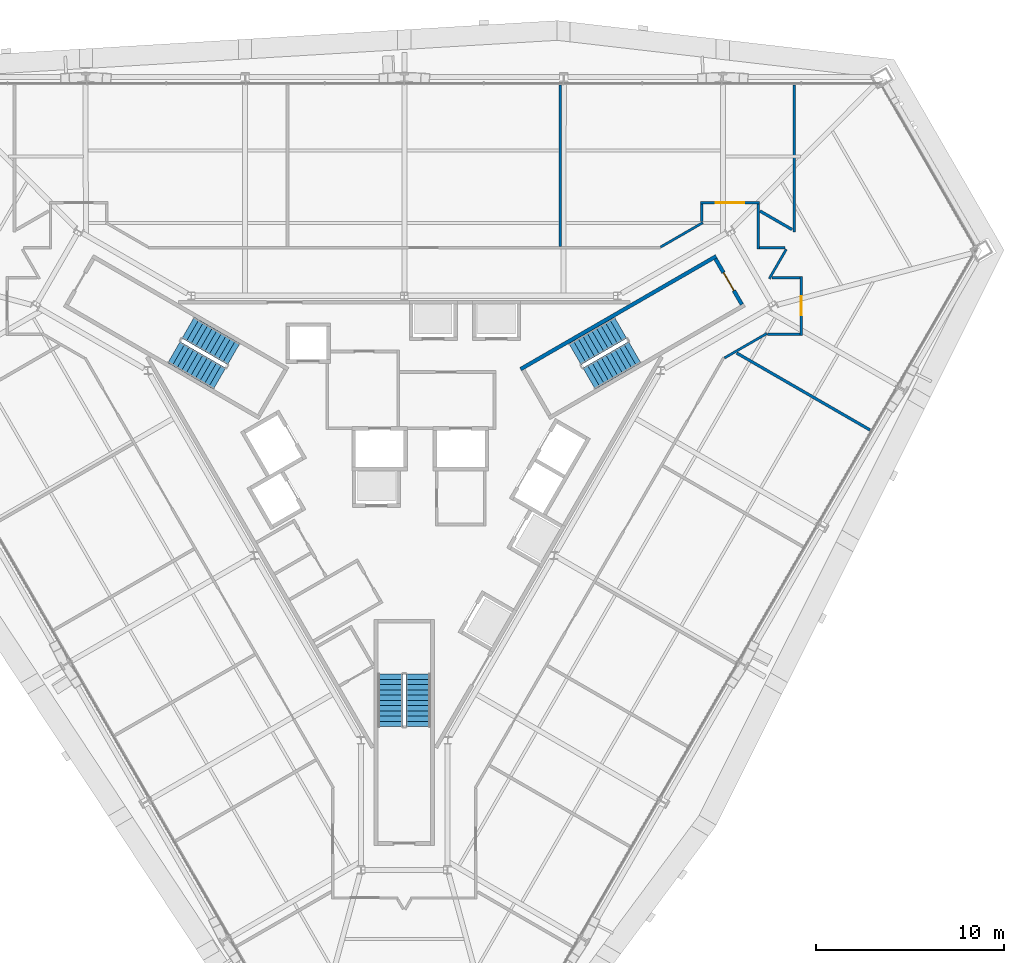
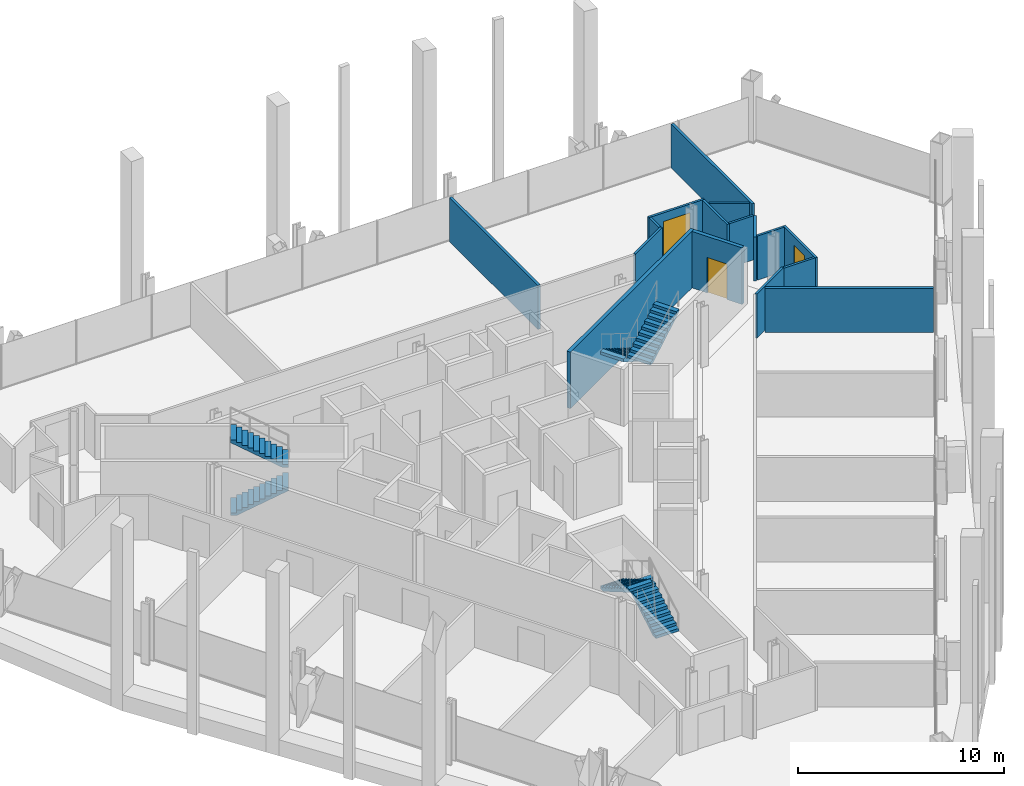
# One storey, part 13 of 16: 16 walls, 6 stair flights, 3 doors, 3 openings, 3 elements without a shape of their own.
"""IFC4 building model written with IfcOpenShell, lengths in metres."""

from ifc_helpers import new_model, si_unit, direction, frame, frame_2d, origin, place, context, subcontext, project, spatial, polyline, rectangle, outline, extrude, material, layer, layer_set, type_object, element, fill, aggregate, save


model = new_model("IFC4")

# Units and contexts
model_context = context("Model", 3, precision=1e-05, world=origin(), true_north=direction((0.0, 1.0)))
body_context = subcontext(model_context, "Body", "Model", "MODEL_VIEW")
ifc_project = project(units=[si_unit("LENGTHUNIT", "METRE"), si_unit("AREAUNIT", "SQUARE_METRE"), si_unit("VOLUMEUNIT", "CUBIC_METRE"), si_unit("PLANEANGLEUNIT", "RADIAN"), si_unit("MASSUNIT", "GRAM", prefix="KILO")], contexts=[model_context])

# Site, building, storey
site_placement = place(None, origin())
site = spatial("IfcSite", under=ifc_project, at=site_placement, CompositionType="ELEMENT")
building_placement = place(site_placement, origin())
building = spatial("IfcBuilding", under=site, at=building_placement, Name="Verrane Prism Tower", CompositionType="ELEMENT")
storey_placement = place(building_placement, frame((0.0, 0.0, 36.800048828125)))
storey = spatial("IfcBuildingStorey", under=building, at=storey_placement, Name="L06", CompositionType="ELEMENT", Elevation=36.800048828125)

# Wall, opening, door
ifc_material_1 = material(Name="Concrete C40/50", Category="concrete")
ifc_layer_1 = layer(ifc_material_1, 0.199951171875)
ifc_layer_set_1 = layer_set([ifc_layer_1], Name="CW-200 stair core wall concrete C40/50 3 h")
wall_type_1 = type_object("IfcWallType", Name="CW-200 stair core wall concrete C40/50 3 h", PredefinedType="PARTITIONING", material=ifc_layer_set_1)
wall_1_placement = place(storey_placement, frame((17.933837890625, 8.737548828125, 0.0), z_axis=(0.0, 0.0, 1.0), x_axis=(-0.49998411664, 0.866034573852, 0.0)))
wall_1 = element("IfcWall", 1, at=wall_1_placement, inside=storey, type_object=wall_type_1, Name="Stair 1 enclosure wall", PredefinedType="PARTITIONING", context=body_context, shape_type="SweptSolid", body=[
    extrude(rectangle(XDim=2.7998046875, YDim=0.199951171875, at=frame_2d((1.39990234375, 0.0))), origin(), (0.0, 0.0, 1.0), 3.349853515625),
])
opening_1_placement = place(wall_1_placement, frame((0.849853515625, 0.0, 0.0)))
opening_1 = element("IfcOpeningElement", 2, at=opening_1_placement, cuts=wall_1, Name="Opening D06500", PredefinedType="OPENING", context=body_context, shape_type="SweptSolid", body=[
    extrude(rectangle(XDim=1.10009765625, YDim=2.10009765625, at=frame_2d((0.550048828125, 1.050048828125))), frame((0.0, 0.10986328125, 0.0), z_axis=(0.0, -1.0, 0.0), x_axis=(1.0, 0.0, 0.0)), (0.0, 0.0, 1.0), 0.219970703125),
])
ifc_material_2 = material(Name="Timber veneered door leaf", Category="wood")
door_type_1 = type_object("IfcDoorType", Name="DR-1100x2100 FD90 single leaf stair", OperationType="NOTDEFINED", PredefinedType="DOOR", material=ifc_material_2)
door_1_placement = place(opening_1_placement, origin())
door_1 = element("IfcDoor", 3, at=door_1_placement, inside=storey, type_object=door_type_1, Name="Stair 1 door", OperationType="SINGLE_SWING_LEFT", OverallHeight=2.10009765625, OverallWidth=1.10009765625, PredefinedType="DOOR", context=body_context, shape_type="SweptSolid", body=[
    extrude(rectangle(XDim=1.10009765625, YDim=2.10009765625, at=frame_2d((0.550048828125, 1.050048828125))), frame((0.0, 0.02490234375, 0.0), z_axis=(0.0, -1.0, 0.0), x_axis=(1.0, 0.0, 0.0)), (0.0, 0.0, 1.0), 0.050048828125),
])
fill(opening_1, door_1)

# Walls
wall_2_placement = place(storey_placement, frame((6.17822265625, 5.299072265625, 0.0), z_axis=(0.0, 0.0, 1.0), x_axis=(0.866026010844, 0.49999894854, 0.0)))
element("IfcWall", 4, at=wall_2_placement, inside=storey, type_object=wall_type_1, Name="Stair 1 enclosure wall", PredefinedType="PARTITIONING", context=body_context, shape_type="SweptSolid", body=[
    extrude(rectangle(XDim=12.0, YDim=0.199951171875, at=frame_2d((6.0, 0.0))), origin(), (0.0, 0.0, 1.0), 3.349853515625),
])
ifc_material_3 = material(Name="Gypsum board partition", Category="other")
ifc_layer_2 = layer(ifc_material_3, 0.125)
ifc_layer_set_2 = layer_set([ifc_layer_2], Name="PW-125 corridor wall 1 h")
wall_type_2 = type_object("IfcWallType", Name="PW-125 corridor wall 1 h", PredefinedType="PARTITIONING", material=ifc_layer_set_2)
wall_3_placement = place(storey_placement, frame((13.609619140625, 11.783447265625, 0.0), z_axis=(0.0, 0.0, 1.0), x_axis=(0.865988195383, 0.500064441305, 0.0)))
element("IfcWall", 5, at=wall_3_placement, inside=storey, type_object=wall_type_2, Name="Corridor wall 434", PredefinedType="PARTITIONING", context=body_context, shape_type="SweptSolid", body=[
    extrude(rectangle(XDim=2.595458984375, YDim=0.125, at=frame_2d((1.2978515625, 0.0))), origin(), (0.0, 0.0, 1.0), 2.613037109375),
])
wall_4_placement = place(storey_placement, frame((15.802978515625, 13.135009765625, 0.0), z_axis=(0.0, 0.0, 1.0), x_axis=(0.0, 1.0, 0.0)))
element("IfcWall", 6, at=wall_4_placement, inside=storey, type_object=wall_type_2, Name="Corridor wall 436", PredefinedType="PARTITIONING", context=body_context, shape_type="SweptSolid", body=[
    extrude(rectangle(XDim=0.93701171875, YDim=0.125, at=frame_2d((0.468505859375, 0.0))), origin(), (0.0, 0.0, 1.0), 2.613037109375),
])

# Wall, opening, door
wall_5_placement = place(storey_placement, frame((15.740478515625, 14.136962890625, 0.0), z_axis=(0.0, 0.0, 1.0), x_axis=(1.0, 0.0, 0.0)))
wall_5 = element("IfcWall", 7, at=wall_5_placement, inside=storey, type_object=wall_type_2, Name="Corridor wall 437", PredefinedType="PARTITIONING", context=body_context, shape_type="SweptSolid", body=[
    extrude(rectangle(XDim=3.119140625, YDim=0.125, at=frame_2d((1.5595703125, 0.0))), origin(), (0.0, 0.0, 1.0), 2.613037109375),
])
opening_2_placement = place(wall_5_placement, frame((0.8125, 0.0, 0.0)))
opening_2 = element("IfcOpeningElement", 8, at=opening_2_placement, cuts=wall_5, Name="Opening D06301", PredefinedType="OPENING", context=body_context, shape_type="SweptSolid", body=[
    extrude(rectangle(XDim=1.5, YDim=2.10009765625, at=frame_2d((0.75, 1.050048828125))), frame((0.0, 0.072509765625, 0.0), z_axis=(0.0, -1.0, 0.0), x_axis=(1.0, 0.0, 0.0)), (0.0, 0.0, 1.0), 0.14501953125),
])
ifc_material_4 = material(Name="Timber veneered door leaf", Category="wood")
door_type_2 = type_object("IfcDoorType", Name="DR-1500x2100 FD20 double leaf public", OperationType="NOTDEFINED", PredefinedType="DOOR", material=ifc_material_4)
door_2_placement = place(opening_2_placement, origin())
door_2 = element("IfcDoor", 9, at=door_2_placement, inside=storey, type_object=door_type_2, Name="Hotel Reception door", OperationType="DOUBLE_DOOR_SINGLE_SWING", OverallHeight=2.10009765625, OverallWidth=1.5, PredefinedType="DOOR", context=body_context, shape_type="SweptSolid", body=[
    extrude(rectangle(XDim=1.5, YDim=2.10009765625, at=frame_2d((0.75, 1.050048828125))), frame((0.0, 0.02490234375, 0.0), z_axis=(0.0, -1.0, 0.0), x_axis=(1.0, 0.0, 0.0)), (0.0, 0.0, 1.0), 0.050048828125),
])
fill(opening_2, door_2)

# Walls
wall_6_placement = place(storey_placement, frame((17.009521484375, 5.89453125, 0.0), z_axis=(0.0, 0.0, 1.0), x_axis=(0.865944638795, 0.50013986298, 0.0)))
element("IfcWall", 10, at=wall_6_placement, inside=storey, type_object=wall_type_2, Name="Corridor wall 438", PredefinedType="PARTITIONING", context=body_context, shape_type="SweptSolid", body=[
    extrude(rectangle(XDim=2.598876953125, YDim=0.125, at=frame_2d((1.29931640625, 0.0))), origin(), (0.0, 0.0, 1.0), 2.613037109375),
])
wall_7_placement = place(storey_placement, frame((18.797119140625, 11.678466796875, 0.0), z_axis=(0.0, 0.0, 1.0), x_axis=(0.0, 1.0, 0.0)))
element("IfcWall", 11, at=wall_7_placement, inside=storey, type_object=wall_type_2, Name="Corridor wall 440", PredefinedType="PARTITIONING", context=body_context, shape_type="SweptSolid", body=[
    extrude(rectangle(XDim=2.3935546875, YDim=0.125, at=frame_2d((1.19677734375, 0.0))), origin(), (0.0, 0.0, 1.0), 2.613037109375),
])
wall_8_placement = place(storey_placement, frame((18.862060546875, 11.740966796875, 0.0), z_axis=(0.0, 0.0, 1.0), x_axis=(1.0, 0.0, 0.0)))
element("IfcWall", 12, at=wall_8_placement, inside=storey, type_object=wall_type_2, Name="Corridor wall 441", PredefinedType="PARTITIONING", context=body_context, shape_type="SweptSolid", body=[
    extrude(rectangle(XDim=1.367919921875, YDim=0.125, at=frame_2d((0.68408203125, 0.0))), origin(), (0.0, 0.0, 1.0), 2.613037109375),
])
wall_9_placement = place(storey_placement, frame((19.291015625, 7.1630859375, 0.0), z_axis=(0.0, 0.0, 1.0), x_axis=(1.0, 0.0, 0.0)))
element("IfcWall", 13, at=wall_9_placement, inside=storey, type_object=wall_type_2, Name="Corridor wall 443", PredefinedType="PARTITIONING", context=body_context, shape_type="SweptSolid", body=[
    extrude(rectangle(XDim=1.740966796875, YDim=0.125, at=frame_2d((0.87060546875, 0.0))), origin(), (0.0, 0.0, 1.0), 2.613037109375),
])
wall_10_placement = place(storey_placement, frame((19.3896484375, 10.102783203125, 0.0), z_axis=(0.0, 0.0, 1.0), x_axis=(0.500327160669, 0.865836435071, 0.0)))
element("IfcWall", 14, at=wall_10_placement, inside=storey, type_object=wall_type_2, Name="Corridor wall 444", PredefinedType="PARTITIONING", context=body_context, shape_type="SweptSolid", body=[
    extrude(rectangle(XDim=1.805419921875, YDim=0.125, at=frame_2d((0.90283203125, 0.0))), origin(), (0.0, 0.0, 1.0), 2.613037109375),
])
wall_11_placement = place(storey_placement, frame((19.52587890625, 10.156982421875, 0.0), z_axis=(0.0, 0.0, 1.0), x_axis=(1.0, 0.0, 0.0)))
element("IfcWall", 15, at=wall_11_placement, inside=storey, type_object=wall_type_2, Name="Corridor wall 445", PredefinedType="PARTITIONING", context=body_context, shape_type="SweptSolid", body=[
    extrude(rectangle(XDim=1.506103515625, YDim=0.125, at=frame_2d((0.7529296875, 0.0))), origin(), (0.0, 0.0, 1.0), 2.613037109375),
])

# Wall, opening, door
wall_12_placement = place(storey_placement, frame((21.096923828125, 10.219482421875, 0.0), z_axis=(0.0, 0.0, 1.0), x_axis=(0.0, -1.0, 0.0)))
wall_12 = element("IfcWall", 16, at=wall_12_placement, inside=storey, type_object=wall_type_2, Name="Corridor wall 447", PredefinedType="PARTITIONING", context=body_context, shape_type="SweptSolid", body=[
    extrude(rectangle(XDim=3.118896484375, YDim=0.125, at=frame_2d((1.5595703125, 0.0))), origin(), (0.0, 0.0, 1.0), 2.613037109375),
])
opening_3_placement = place(wall_12_placement, frame((1.056396484375, 0.0, 0.0)))
opening_3 = element("IfcOpeningElement", 17, at=opening_3_placement, cuts=wall_12, Name="Opening D06316", PredefinedType="OPENING", context=body_context, shape_type="SweptSolid", body=[
    extrude(rectangle(XDim=1.0, YDim=2.10009765625, at=frame_2d((0.5, 1.050048828125))), frame((0.0, 0.072509765625, 0.0), z_axis=(0.0, -1.0, 0.0), x_axis=(1.0, 0.0, 0.0)), (0.0, 0.0, 1.0), 0.14501953125),
])
ifc_material_5 = material(Name="Timber veneered door leaf", Category="wood")
door_type_3 = type_object("IfcDoorType", Name="DR-1000x2100 FD20 single leaf unit", OperationType="NOTDEFINED", PredefinedType="DOOR", material=ifc_material_5)
door_3_placement = place(opening_3_placement, origin())
door_3 = element("IfcDoor", 18, at=door_3_placement, inside=storey, type_object=door_type_3, Name="Hotel Office door", OperationType="SINGLE_SWING_LEFT", OverallHeight=2.10009765625, OverallWidth=1.0, PredefinedType="DOOR", context=body_context, shape_type="SweptSolid", body=[
    extrude(rectangle(XDim=1.0, YDim=2.10009765625, at=frame_2d((0.5, 1.050048828125))), frame((0.0, 0.02490234375, 0.0), z_axis=(0.0, -1.0, 0.0), x_axis=(1.0, 0.0, 0.0)), (0.0, 0.0, 1.0), 0.050048828125),
])
fill(opening_3, door_3)

# Walls
ifc_material_6 = material(Name="Gypsum board partition", Category="other")
ifc_layer_3 = layer(ifc_material_6, 0.14990234375)
ifc_layer_set_3 = layer_set([ifc_layer_3], Name="PW-150 demising wall 1 h")
wall_type_3 = type_object("IfcWallType", Name="PW-150 demising wall 1 h", PredefinedType="PARTITIONING", material=ifc_layer_set_3)
wall_13_placement = place(storey_placement, frame((8.285888671875, 11.803466796875, 0.0), z_axis=(0.0, 0.0, 1.0), x_axis=(0.0, 1.0, 0.0)))
element("IfcWall", 19, at=wall_13_placement, inside=storey, type_object=wall_type_3, Name="Demising wall 432", PredefinedType="PARTITIONING", context=body_context, shape_type="SweptSolid", body=[
    extrude(rectangle(XDim=8.591552734375, YDim=0.14990234375, at=frame_2d((4.2958984375, 0.0))), origin(), (0.0, 0.0, 1.0), 2.613037109375),
])
wall_14_placement = place(storey_placement, frame((17.662109375, 6.1552734375, 0.0), z_axis=(0.0, 0.0, 1.0), x_axis=(0.866038908564, -0.499976608306, 0.0)))
element("IfcWall", 20, at=wall_14_placement, inside=storey, type_object=wall_type_3, Name="Demising wall 439", PredefinedType="PARTITIONING", context=body_context, shape_type="SweptSolid", body=[
    extrude(rectangle(XDim=8.1767578125, YDim=0.14990234375, at=frame_2d((4.08837890625, 0.0))), origin(), (0.0, 0.0, 1.0), 2.613037109375),
])
wall_15_placement = place(storey_placement, frame((18.89697265625, 13.701171875, 0.0), z_axis=(0.0, 0.0, 1.0), x_axis=(0.866121584746, -0.499833372672, 0.0)))
element("IfcWall", 21, at=wall_15_placement, inside=storey, type_object=wall_type_3, Name="Demising wall 442", PredefinedType="PARTITIONING", context=body_context, shape_type="SweptSolid", body=[
    extrude(rectangle(XDim=1.968994140625, YDim=0.14990234375, at=frame_2d((0.984375, 0.0))), origin(), (0.0, 0.0, 1.0), 2.613037109375),
])
wall_16_placement = place(storey_placement, frame((20.715087890625, 12.576904296875, 0.0), z_axis=(0.0, 0.0, 1.0), x_axis=(0.0, 1.0, 0.0)))
element("IfcWall", 22, at=wall_16_placement, inside=storey, type_object=wall_type_3, Name="Demising wall 446", PredefinedType="PARTITIONING", context=body_context, shape_type="SweptSolid", body=[
    extrude(rectangle(XDim=7.818115234375, YDim=0.14990234375, at=frame_2d((3.9091796875, 0.0))), origin(), (0.0, 0.0, 1.0), 2.613037109375),
])

# Stair, stair flights
ifc_material_7 = material(Name="Concrete C40/50", Category="concrete")
stair_type = type_object("IfcStairType", Name="Exit stair 1300 dog-leg precast concrete C40/50", PredefinedType="HALF_TURN_STAIR", material=ifc_material_7)
stair_1_placement = place(storey_placement, origin())
stair_1 = element("IfcStair", 23, at=stair_1_placement, inside=storey, type_object=stair_type, Name="Stair 1 L06", PredefinedType="HALF_TURN_STAIR")
ifc_material_8 = material(Name="Concrete C40/50", Category="concrete")
stair_flight_type = type_object("IfcStairFlightType", Name="Stair flight 1300 precast concrete C40/50", PredefinedType="STRAIGHT", material=ifc_material_8)
stair_flight_1_placement = place(storey_placement, frame((11.489501953125, 7.49951171875, 0.0), z_axis=(0.0, 0.0, 1.0), x_axis=(-0.866025403784, -0.5, 0.0)))
stair_flight_1 = element("IfcStairFlight", 24, at=stair_flight_1_placement, type_object=stair_flight_type, Name="Stair 1 flight 1", NumberOfRisers=11, NumberOfTreads=10, PredefinedType="STRAIGHT", RiserHeight=0.163636364, TreadLength=0.28, context=body_context, shape_type="SweptSolid", body=[
    extrude(outline(polyline([(0.0, 0.0), (0.0, 0.16357421875), (0.280029296875, 0.16357421875), (0.280029296875, 0.327392578125), (0.56005859375, 0.327392578125), (0.56005859375, 0.490966796875), (0.840087890625, 0.490966796875), (0.840087890625, 0.654541015625), (1.1201171875, 0.654541015625), (1.1201171875, 0.818115234375), (1.39990234375, 0.818115234375), (1.39990234375, 0.98193359375), (1.679931640625, 0.98193359375), (1.679931640625, 1.1455078125), (1.9599609375, 1.1455078125), (1.9599609375, 1.30908203125), (2.239990234375, 1.30908203125), (2.239990234375, 1.47265625), (2.52001953125, 1.47265625), (2.52001953125, 1.636474609375), (2.800048828125, 1.636474609375), (2.800048828125, 1.800048828125), (2.800048828125, 1.462646484375), (0.297119140625, 0.0), (0.0, 0.0)])), frame((0.0, 0.64990234375, 0.0), z_axis=(0.0, -1.0, 0.0), x_axis=(1.0, 0.0, 0.0)), (0.0, 0.0, 1.0), 1.300048828125),
])
stair_flight_2_placement = place(storey_placement, frame((9.814697265625, 4.800537109375, 1.800048828125), z_axis=(0.0, 0.0, 1.0), x_axis=(0.866025403784, 0.5, 0.0)))
stair_flight_2 = element("IfcStairFlight", 25, at=stair_flight_2_placement, type_object=stair_flight_type, Name="Stair 1 flight 2", NumberOfRisers=11, NumberOfTreads=10, PredefinedType="STRAIGHT", RiserHeight=0.163636364, TreadLength=0.28, context=body_context, shape_type="SweptSolid", body=[
    extrude(outline(polyline([(0.0, 0.0), (0.0, 0.16357421875), (0.280029296875, 0.16357421875), (0.280029296875, 0.327392578125), (0.56005859375, 0.327392578125), (0.56005859375, 0.490966796875), (0.840087890625, 0.490966796875), (0.840087890625, 0.654541015625), (1.1201171875, 0.654541015625), (1.1201171875, 0.818115234375), (1.39990234375, 0.818115234375), (1.39990234375, 0.98193359375), (1.679931640625, 0.98193359375), (1.679931640625, 1.1455078125), (1.9599609375, 1.1455078125), (1.9599609375, 1.30908203125), (2.239990234375, 1.30908203125), (2.239990234375, 1.47265625), (2.52001953125, 1.47265625), (2.52001953125, 1.636474609375), (2.800048828125, 1.636474609375), (2.800048828125, 1.800048828125), (2.800048828125, 1.462646484375), (0.297119140625, 0.0), (0.0, 0.0)])), frame((0.0, 0.64990234375, 0.0), z_axis=(0.0, -1.0, 0.0), x_axis=(1.0, 0.0, 0.0)), (0.0, 0.0, 1.0), 1.300048828125),
])
aggregate(stair_1, [stair_flight_1, stair_flight_2])

stair_2_placement = place(storey_placement, origin())
stair_2 = element("IfcStair", 26, at=stair_2_placement, inside=storey, type_object=stair_type, Name="Stair 2 L06", PredefinedType="HALF_TURN_STAIR")
stair_flight_3_placement = place(storey_placement, frame((-12.239501953125, 6.200439453125, 0.0), z_axis=(0.0, 0.0, 1.0), x_axis=(0.866025403784, -0.5, 0.0)))
stair_flight_3 = element("IfcStairFlight", 27, at=stair_flight_3_placement, type_object=stair_flight_type, Name="Stair 2 flight 1", NumberOfRisers=11, NumberOfTreads=10, PredefinedType="STRAIGHT", RiserHeight=0.163636364, TreadLength=0.28, context=body_context, shape_type="SweptSolid", body=[
    extrude(outline(polyline([(0.0, 0.0), (0.0, 0.16357421875), (0.280029296875, 0.16357421875), (0.280029296875, 0.327392578125), (0.56005859375, 0.327392578125), (0.56005859375, 0.490966796875), (0.840087890625, 0.490966796875), (0.840087890625, 0.654541015625), (1.1201171875, 0.654541015625), (1.1201171875, 0.818115234375), (1.39990234375, 0.818115234375), (1.39990234375, 0.98193359375), (1.679931640625, 0.98193359375), (1.679931640625, 1.1455078125), (1.9599609375, 1.1455078125), (1.9599609375, 1.30908203125), (2.239990234375, 1.30908203125), (2.239990234375, 1.47265625), (2.52001953125, 1.47265625), (2.52001953125, 1.636474609375), (2.800048828125, 1.636474609375), (2.800048828125, 1.800048828125), (2.800048828125, 1.462646484375), (0.297119140625, 0.0), (0.0, 0.0)])), frame((0.0, 0.64990234375, 0.0), z_axis=(0.0, -1.0, 0.0), x_axis=(1.0, 0.0, 0.0)), (0.0, 0.0, 1.0), 1.300048828125),
])
stair_flight_4_placement = place(storey_placement, frame((-9.064697265625, 6.099609375, 1.800048828125), z_axis=(0.0, 0.0, 1.0), x_axis=(-0.866025403784, 0.5, 0.0)))
stair_flight_4 = element("IfcStairFlight", 28, at=stair_flight_4_placement, type_object=stair_flight_type, Name="Stair 2 flight 2", NumberOfRisers=11, NumberOfTreads=10, PredefinedType="STRAIGHT", RiserHeight=0.163636364, TreadLength=0.28, context=body_context, shape_type="SweptSolid", body=[
    extrude(outline(polyline([(0.0, 0.0), (0.0, 0.16357421875), (0.280029296875, 0.16357421875), (0.280029296875, 0.327392578125), (0.56005859375, 0.327392578125), (0.56005859375, 0.490966796875), (0.840087890625, 0.490966796875), (0.840087890625, 0.654541015625), (1.1201171875, 0.654541015625), (1.1201171875, 0.818115234375), (1.39990234375, 0.818115234375), (1.39990234375, 0.98193359375), (1.679931640625, 0.98193359375), (1.679931640625, 1.1455078125), (1.9599609375, 1.1455078125), (1.9599609375, 1.30908203125), (2.239990234375, 1.30908203125), (2.239990234375, 1.47265625), (2.52001953125, 1.47265625), (2.52001953125, 1.636474609375), (2.800048828125, 1.636474609375), (2.800048828125, 1.800048828125), (2.800048828125, 1.462646484375), (0.297119140625, 0.0), (0.0, 0.0)])), frame((0.0, 0.64990234375, 0.0), z_axis=(0.0, -1.0, 0.0), x_axis=(1.0, 0.0, 0.0)), (0.0, 0.0, 1.0), 1.300048828125),
])
aggregate(stair_2, [stair_flight_3, stair_flight_4])

stair_3_placement = place(storey_placement, origin())
stair_3 = element("IfcStair", 29, at=stair_3_placement, inside=storey, type_object=stair_type, Name="Stair 3 L06", PredefinedType="HALF_TURN_STAIR")
stair_flight_5_placement = place(storey_placement, frame((0.75, -13.699951171875, 0.0), z_axis=(0.0, 0.0, 1.0), x_axis=(0.0, 1.0, 0.0)))
stair_flight_5 = element("IfcStairFlight", 30, at=stair_flight_5_placement, type_object=stair_flight_type, Name="Stair 3 flight 1", NumberOfRisers=11, NumberOfTreads=10, PredefinedType="STRAIGHT", RiserHeight=0.163636364, TreadLength=0.28, context=body_context, shape_type="SweptSolid", body=[
    extrude(outline(polyline([(0.0, 0.0), (0.0, 0.16357421875), (0.280029296875, 0.16357421875), (0.280029296875, 0.327392578125), (0.56005859375, 0.327392578125), (0.56005859375, 0.490966796875), (0.840087890625, 0.490966796875), (0.840087890625, 0.654541015625), (1.1201171875, 0.654541015625), (1.1201171875, 0.818115234375), (1.39990234375, 0.818115234375), (1.39990234375, 0.98193359375), (1.679931640625, 0.98193359375), (1.679931640625, 1.1455078125), (1.9599609375, 1.1455078125), (1.9599609375, 1.30908203125), (2.239990234375, 1.30908203125), (2.239990234375, 1.47265625), (2.52001953125, 1.47265625), (2.52001953125, 1.636474609375), (2.800048828125, 1.636474609375), (2.800048828125, 1.800048828125), (2.800048828125, 1.462646484375), (0.297119140625, 0.0), (0.0, 0.0)])), frame((0.0, 0.64990234375, 0.0), z_axis=(0.0, -1.0, 0.0), x_axis=(1.0, 0.0, 0.0)), (0.0, 0.0, 1.0), 1.300048828125),
])
stair_flight_6_placement = place(storey_placement, frame((-0.75, -10.89990234375, 1.800048828125), z_axis=(0.0, 0.0, 1.0), x_axis=(0.0, -1.0, 0.0)))
stair_flight_6 = element("IfcStairFlight", 31, at=stair_flight_6_placement, type_object=stair_flight_type, Name="Stair 3 flight 2", NumberOfRisers=11, NumberOfTreads=10, PredefinedType="STRAIGHT", RiserHeight=0.163636364, TreadLength=0.28, context=body_context, shape_type="SweptSolid", body=[
    extrude(outline(polyline([(0.0, 0.0), (0.0, 0.16357421875), (0.280029296875, 0.16357421875), (0.280029296875, 0.327392578125), (0.56005859375, 0.327392578125), (0.56005859375, 0.490966796875), (0.840087890625, 0.490966796875), (0.840087890625, 0.654541015625), (1.1201171875, 0.654541015625), (1.1201171875, 0.818115234375), (1.39990234375, 0.818115234375), (1.39990234375, 0.98193359375), (1.679931640625, 0.98193359375), (1.679931640625, 1.1455078125), (1.9599609375, 1.1455078125), (1.9599609375, 1.30908203125), (2.239990234375, 1.30908203125), (2.239990234375, 1.47265625), (2.52001953125, 1.47265625), (2.52001953125, 1.636474609375), (2.800048828125, 1.636474609375), (2.800048828125, 1.800048828125), (2.800048828125, 1.462646484375), (0.297119140625, 0.0), (0.0, 0.0)])), frame((0.0, 0.64990234375, 0.0), z_axis=(0.0, -1.0, 0.0), x_axis=(1.0, 0.0, 0.0)), (0.0, 0.0, 1.0), 1.300048828125),
])
aggregate(stair_3, [stair_flight_5, stair_flight_6])

save(model, "model.ifc")
